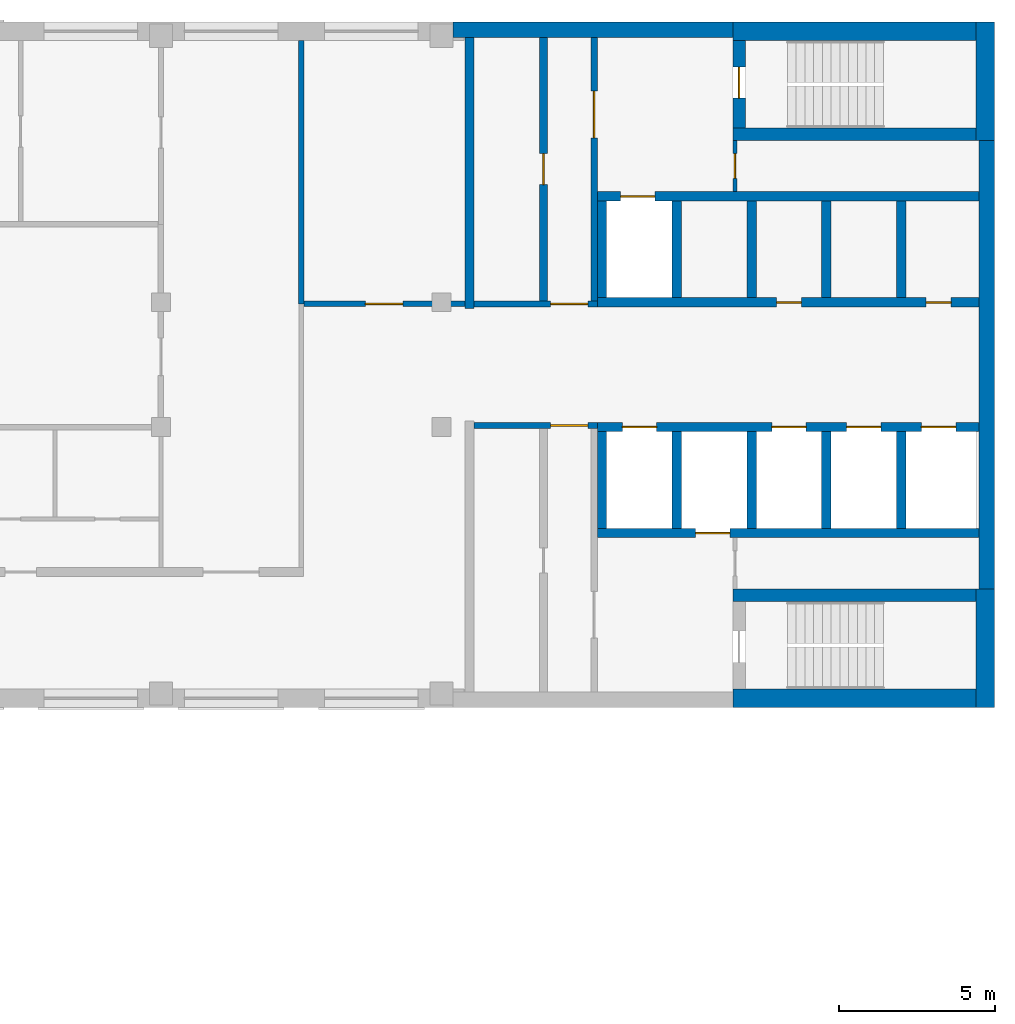
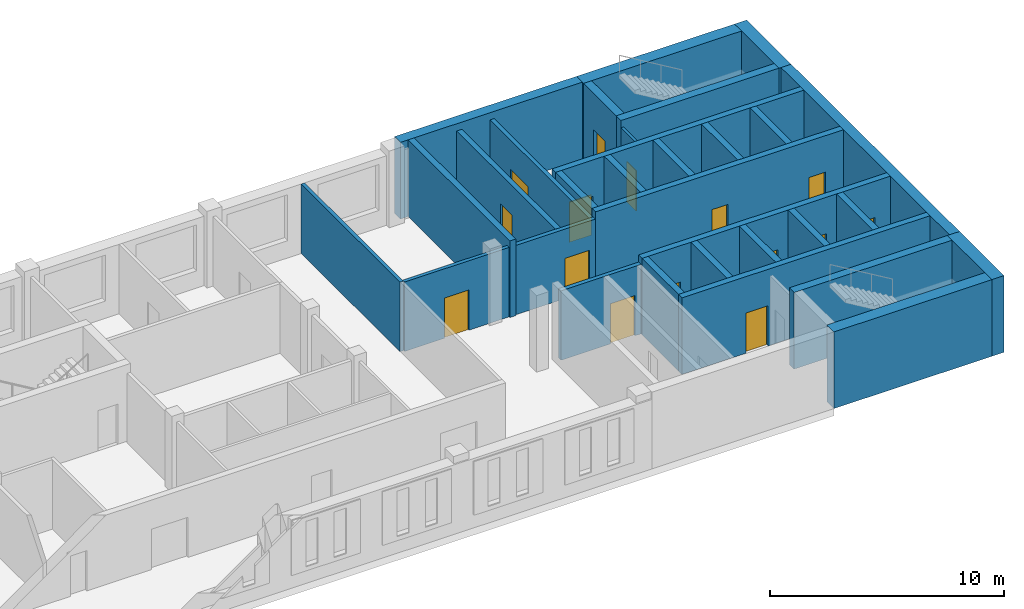
# One storey, part 6 of 8: 31 walls, 15 doors, 15 openings.
"""IFC4 building model written with IfcOpenShell, lengths in metres."""

import ifcopenshell
import ifcopenshell.guid

model = None  # the IFC model being written
_history = None  # IfcOwnerHistory: only IFC2X3 demands one
_inside = {}  # id of a spatial element -> (the spatial element, [elements in it])
_under = {}  # id of a project, library or spatial element -> (it, [spatial elements below it])
_declared = {}  # id of a project -> (the project, [libraries it declares])
_typed = {}  # id of a type object -> (the type object, [elements of that type])
_made_of = {}  # id of a material, layer set ... -> (it, [elements and type objects made of it])


def new_model(schema):
    """Start an empty IFC model of exactly this schema.

    Asked for "IFC4X3", IfcOpenShell would pick the latest addendum, in which some entities
    have other attributes; the version numbers below select the first issue.
    IFC2X3 requires an IfcOwnerHistory on every rooted entity: one is made here for all.
    """
    global model, _history
    if schema == "IFC4X3":
        model = ifcopenshell.file(schema_version=(4, 3, 0, 0))
    else:
        model = ifcopenshell.file(schema=schema)
    _inside.clear()
    _under.clear()
    _declared.clear()
    _typed.clear()
    _made_of.clear()
    _history = None
    if model.schema == "IFC2X3":
        org = make("IfcOrganization", Name="unknown")
        user = make(
            "IfcPersonAndOrganization",
            ThePerson=make("IfcPerson", FamilyName="unknown"),
            TheOrganization=org,
        )
        app = make(
            "IfcApplication",
            ApplicationDeveloper=org,
            Version="unknown",
            ApplicationFullName="unknown",
            ApplicationIdentifier="unknown",
        )
        _history = make(
            "IfcOwnerHistory",
            OwningUser=user,
            OwningApplication=app,
            ChangeAction="ADDED",
            CreationDate=0,
        )
    return model


def make(cls, **values):
    """One entity of the class cls with the attributes given. An attribute that is None is left unset."""
    return model.create_entity(
        cls, **{name: value for name, value in values.items() if value is not None}
    )


def rooted(cls, **values):
    """An entity with a GlobalId (a new one), such as an element, a storey or a relation."""
    return make(cls, GlobalId=ifcopenshell.guid.new(), OwnerHistory=_history, **values)


def si_unit(unit_type, name, prefix=None):
    """IfcSIUnit, for example si_unit("LENGTHUNIT", "METRE", prefix="MILLI")."""
    return make("IfcSIUnit", UnitType=unit_type, Prefix=prefix, Name=name)


def assignment(units):
    """IfcUnitAssignment: the units of a project."""
    return None if units is None else make("IfcUnitAssignment", Units=units)


def point(xyz):
    """IfcCartesianPoint."""
    return None if xyz is None else make("IfcCartesianPoint", Coordinates=xyz)


def direction(xyz):
    """IfcDirection."""
    return None if xyz is None else make("IfcDirection", DirectionRatios=xyz)


def frame(location, z_axis=None, x_axis=None):
    """IfcAxis2Placement3D, a coordinate frame: its origin and axes. An axis left out is left unset."""
    return make(
        "IfcAxis2Placement3D",
        Location=point(location),
        Axis=direction(z_axis),
        RefDirection=direction(x_axis),
    )


def frame_2d(location, x_axis=None):
    """IfcAxis2Placement2D, a coordinate frame in the plane: its origin and x axis."""
    return make(
        "IfcAxis2Placement2D", Location=point(location), RefDirection=direction(x_axis)
    )


def origin():
    """The frame at (0, 0, 0) with its axes left unset."""
    return frame((0.0, 0.0, 0.0))


def place(relative_to, where):
    """IfcLocalPlacement: puts the frame where relative to a parent placement (None: the world)."""
    return make(
        "IfcLocalPlacement", PlacementRelTo=relative_to, RelativePlacement=where
    )


def context(
    kind, dimensions, precision=None, world=None, true_north=None, identifier=None
):
    """IfcGeometricRepresentationContext, for example the 3D "Model" context."""
    return make(
        "IfcGeometricRepresentationContext",
        ContextIdentifier=identifier,
        ContextType=kind,
        CoordinateSpaceDimension=dimensions,
        Precision=precision,
        WorldCoordinateSystem=world,
        TrueNorth=true_north,
    )


def subcontext(parent, identifier, kind, view, scale=None):
    """IfcGeometricRepresentationSubContext, for example "Body" below "Model"."""
    return make(
        "IfcGeometricRepresentationSubContext",
        ContextIdentifier=identifier,
        ContextType=kind,
        ParentContext=parent,
        TargetScale=scale,
        TargetView=view,
    )


def project(units=None, contexts=None):
    """IfcProject with its units and contexts."""
    return rooted(
        "IfcProject",
        Name="project",
        RepresentationContexts=contexts,
        UnitsInContext=assignment(units),
    )


def spatial(cls, under=None, at=None, **own):
    """A site, building, storey or space (cls), placed at a placement, below another one or the project."""
    s = rooted(cls, ObjectPlacement=at, **own)
    if under is not None:
        _under.setdefault(under.id(), (under, []))[1].append(s)
    return s


def profile(cls, at=None, kind="AREA", **sizes):
    """A parametric profile (cls). Its sizes go by their IFC names, for example OverallWidth=200.0."""
    return make(cls, ProfileType=kind, Position=at, **sizes)


def rectangle(**sizes):
    """IfcRectangleProfileDef."""
    return profile("IfcRectangleProfileDef", **sizes)


def extrude(swept, where, along, depth):
    """IfcExtrudedAreaSolid: the profile swept, set in the frame where, extruded along a direction by depth."""
    return make(
        "IfcExtrudedAreaSolid",
        SweptArea=swept,
        Position=where,
        ExtrudedDirection=direction(along),
        Depth=depth,
    )


def shape(context_of_items, identifier, shape_type, items):
    """IfcShapeRepresentation: the items that make up one representation, for example the "Body"."""
    return make(
        "IfcShapeRepresentation",
        ContextOfItems=context_of_items,
        RepresentationIdentifier=identifier,
        RepresentationType=shape_type,
        Items=items,
    )


def material(Name=None, Category=None):
    """IfcMaterial."""
    return make("IfcMaterial", Name=Name, Category=Category)


def layer(
    of_material, thickness, ventilated=None, Name=None, Category=None, Priority=None
):
    """IfcMaterialLayer: one layer of a wall or slab, of a material (None: an air gap)."""
    return make(
        "IfcMaterialLayer",
        Material=of_material,
        LayerThickness=thickness,
        IsVentilated=ventilated,
        Name=Name,
        Category=Category,
        Priority=Priority,
    )


def layer_set(layers, Name=None):
    """IfcMaterialLayerSet."""
    return make("IfcMaterialLayerSet", MaterialLayers=layers, LayerSetName=Name)


def made_of(thing, what):
    """Note that an element or type object is made of a material, layer set ...; save() writes the relation."""
    if what is not None:
        _made_of.setdefault(what.id(), (what, []))[1].append(thing)
    return thing


def type_object(cls, material=None, **own):
    """A type object (cls), such as IfcWallType, which elements share."""
    return made_of(rooted(cls, **own), material)


def element(
    cls,
    number,
    at=None,
    inside=None,
    cuts=None,
    type_object=None,
    material=None,
    context=None,
    identifier="Body",
    shape_type=None,
    held_by="IfcProductDefinitionShape",
    body=None,
    shapes=None,
    **own,
):
    """One element of the class cls, such as IfcWall. Its Tag is "e" and its number.

    at: its placement. inside: the storey or other place that contains it. cuts: it is an
    opening in that element (IfcRelVoidsElement). A single representation is given by context,
    identifier, shape_type and body (its items); several are given by shapes. held_by: the class
    of the entity that holds the representations. save() writes the other relations.
    """
    e = rooted(cls, Tag="e%d" % number, ObjectPlacement=at, **own)
    if body is not None:
        shapes = [shape(context, identifier, shape_type, body)]
    if shapes is not None:
        e.Representation = make(held_by, Representations=shapes)
    if inside is not None:
        _inside.setdefault(inside.id(), (inside, []))[1].append(e)
    if cuts is not None:
        rooted(
            "IfcRelVoidsElement", RelatingBuildingElement=cuts, RelatedOpeningElement=e
        )
    if type_object is not None:
        _typed.setdefault(type_object.id(), (type_object, []))[1].append(e)
    return made_of(e, material)


def fill(opening, filler):
    """IfcRelFillsElement: the door or window that sits in an opening."""
    return rooted(
        "IfcRelFillsElement",
        RelatingOpeningElement=opening,
        RelatedBuildingElement=filler,
    )


def aggregate(whole, parts):
    """IfcRelAggregates: a whole, such as a stair, and the parts it consists of."""
    return rooted("IfcRelAggregates", RelatingObject=whole, RelatedObjects=parts)


def save(model, path):
    """Write the relations noted so far, then the file.

    IfcRelAggregates (storeys below a building ...), IfcRelContainedInSpatialStructure (elements
    in a storey), IfcRelDefinesByType, IfcRelAssociatesMaterial and IfcRelDeclares: one each for
    every whole, place, type object, material and project.
    """
    for whole, parts in _under.values():
        aggregate(whole, parts)
    for where, things in _inside.values():
        rooted(
            "IfcRelContainedInSpatialStructure",
            RelatedElements=things,
            RelatingStructure=where,
        )
    for kind, things in _typed.values():
        rooted("IfcRelDefinesByType", RelatedObjects=things, RelatingType=kind)
    for what, things in _made_of.values():
        rooted("IfcRelAssociatesMaterial", RelatedObjects=things, RelatingMaterial=what)
    for by, libraries in _declared.values():
        rooted("IfcRelDeclares", RelatingContext=by, RelatedDefinitions=libraries)
    model.write(path)


model = new_model("IFC4")

# Units and contexts
model_context = context("Model", 3, precision=1e-05, world=origin(), true_north=direction((0.0, 1.0)))
body_context = subcontext(model_context, "Body", "Model", "MODEL_VIEW")
ifc_project = project(units=[si_unit("LENGTHUNIT", "METRE"), si_unit("AREAUNIT", "SQUARE_METRE"), si_unit("VOLUMEUNIT", "CUBIC_METRE"), si_unit("PLANEANGLEUNIT", "RADIAN"), si_unit("MASSUNIT", "GRAM", prefix="KILO")], contexts=[model_context])

# Site, building, storey
site_placement = place(None, origin())
site = spatial("IfcSite", under=ifc_project, at=site_placement, CompositionType="ELEMENT")
building_placement = place(site_placement, origin())
building = spatial("IfcBuilding", under=site, at=building_placement, Name="Skarvind Civic Tower", CompositionType="ELEMENT")
storey_placement = place(building_placement, frame((0.0, 0.0, 220.0)))
storey = spatial("IfcBuildingStorey", under=building, at=storey_placement, Name="L52", CompositionType="ELEMENT", Elevation=220.0)

# Wall
ifc_material_1 = material(Name="Acoustic gypsum board on steel studs", Category="steel")
ifc_layer_1 = layer(ifc_material_1, 0.175048828125)
ifc_layer_set_1 = layer_set([ifc_layer_1], Name="ACOUSTIC MEETING-ROOM PARTITION 175")
wall_type_1 = type_object("IfcWallType", Name="ACOUSTIC MEETING-ROOM PARTITION 175", PredefinedType="PARTITIONING", material=ifc_layer_set_1)
wall_1_placement = place(storey_placement, frame((85.75, 129.949951171875, 0.0), z_axis=(0.0, 0.0, 1.0), x_axis=(0.0, 1.0, 0.0)))
element("IfcWall", 1, at=wall_1_placement, inside=storey, type_object=wall_type_1, Name="Partition 52.044", PredefinedType="PARTITIONING", context=body_context, shape_type="SweptSolid", body=[
    extrude(rectangle(XDim=8.449951171875, YDim=0.175048828125, at=frame_2d((4.22509765625, 0.0))), origin(), (0.0, 0.0, 1.0), 3.625),
])

# Wall, opening, door
wall_2_placement = place(storey_placement, frame((85.837890625, 129.949951171875, 0.0), z_axis=(0.0, 0.0, 1.0), x_axis=(1.0, 0.0, 0.0)))
wall_2 = element("IfcWall", 2, at=wall_2_placement, inside=storey, type_object=wall_type_1, Name="Partition 52.045", PredefinedType="PARTITIONING", context=body_context, shape_type="SweptSolid", body=[
    extrude(rectangle(XDim=5.162109375, YDim=0.175048828125, at=frame_2d((2.5810546875, 0.0))), origin(), (0.0, 0.0, 1.0), 3.625),
])
opening_1_placement = place(wall_2_placement, frame((1.970947265625, 0.0, 0.0)))
opening_1 = element("IfcOpeningElement", 3, at=opening_1_placement, cuts=wall_2, Name="Opening L52-D001", PredefinedType="OPENING", context=body_context, shape_type="SweptSolid", body=[
    extrude(rectangle(XDim=1.199951171875, YDim=2.10009765625, at=frame_2d((0.60009765625, 1.050048828125))), frame((0.0, 0.097412109375, 0.0), z_axis=(0.0, -1.0, 0.0), x_axis=(1.0, 0.0, 0.0)), (0.0, 0.0, 1.0), 0.195068359375),
])
ifc_material_2 = material(Name="Timber door leaf", Category="wood")
door_type_1 = type_object("IfcDoorType", Name="DOOR 1200X2100 DOUBLE TIMBER", OperationType="NOTDEFINED", PredefinedType="DOOR", material=ifc_material_2)
door_1_placement = place(opening_1_placement, origin())
door_1 = element("IfcDoor", 4, at=door_1_placement, inside=storey, type_object=door_type_1, Name="Door L52-D001", OperationType="DOUBLE_DOOR_SINGLE_SWING", OverallHeight=2.10009765625, OverallWidth=1.199951171875, PredefinedType="DOOR", context=body_context, shape_type="SweptSolid", body=[
    extrude(rectangle(XDim=1.199951171875, YDim=2.10009765625, at=frame_2d((0.60009765625, 1.050048828125))), frame((0.0, 0.02490234375, 0.0), z_axis=(0.0, -1.0, 0.0), x_axis=(1.0, 0.0, 0.0)), (0.0, 0.0, 1.0), 0.050048828125),
])
fill(opening_1, door_1)

ifc_material_3 = material(Name="Fire-rated masonry partition", Category="masonry")
ifc_layer_2 = layer(ifc_material_3, 0.199951171875)
ifc_layer_set_2 = layer_set([ifc_layer_2], Name="Core enclosure wall 200")
wall_type_2 = type_object("IfcWallType", Name="Core enclosure wall 200", PredefinedType="PARTITIONING", material=ifc_layer_set_2)
wall_3_placement = place(storey_placement, frame((95.25, 126.050048828125, 0.0), z_axis=(0.0, 0.0, 1.0), x_axis=(-1.0, 0.0, 0.0)))
wall_3 = element("IfcWall", 5, at=wall_3_placement, inside=storey, type_object=wall_type_2, Name="Core wall C1", PredefinedType="PARTITIONING", context=body_context, shape_type="SweptSolid", body=[
    extrude(rectangle(XDim=3.949951171875, YDim=0.199951171875, at=frame_2d((1.97509765625, 0.0))), origin(), (0.0, 0.0, 1.0), 3.625),
])
opening_2_placement = place(wall_3_placement, frame((0.300048828125, 0.0, 0.0)))
opening_2 = element("IfcOpeningElement", 6, at=opening_2_placement, cuts=wall_3, Name="Opening D-L52-C1-07", PredefinedType="OPENING", context=body_context, shape_type="SweptSolid", body=[
    extrude(rectangle(XDim=1.199951171875, YDim=2.10009765625, at=frame_2d((0.60009765625, 1.050048828125))), frame((0.0, 0.10986328125, 0.0), z_axis=(0.0, -1.0, 0.0), x_axis=(1.0, 0.0, 0.0)), (0.0, 0.0, 1.0), 0.219970703125),
])
ifc_material_4 = material(Name="Fire-rated steel door", Category="steel")
door_type_2 = type_object("IfcDoorType", Name="Core lobby door 1200", OperationType="NOTDEFINED", PredefinedType="DOOR", material=ifc_material_4)
door_2_placement = place(opening_2_placement, origin())
door_2 = element("IfcDoor", 7, at=door_2_placement, inside=storey, type_object=door_type_2, Name="Fire door", OperationType="DOUBLE_DOOR_SINGLE_SWING", OverallHeight=2.10009765625, OverallWidth=1.199951171875, PredefinedType="DOOR", context=body_context, shape_type="SweptSolid", body=[
    extrude(rectangle(XDim=1.199951171875, YDim=2.10009765625, at=frame_2d((0.60009765625, 1.050048828125))), frame((0.0, 0.02490234375, 0.0), z_axis=(0.0, -1.0, 0.0), x_axis=(1.0, 0.0, 0.0)), (0.0, 0.0, 1.0), 0.050048828125),
])
fill(opening_2, door_2)

wall_4_placement = place(storey_placement, frame((91.300048828125, 129.949951171875, 0.0), z_axis=(0.0, 0.0, 1.0), x_axis=(1.0, 0.0, 0.0)))
wall_4 = element("IfcWall", 8, at=wall_4_placement, inside=storey, type_object=wall_type_2, Name="Core wall C1", PredefinedType="PARTITIONING", context=body_context, shape_type="SweptSolid", body=[
    extrude(rectangle(XDim=3.949951171875, YDim=0.199951171875, at=frame_2d((1.97509765625, 0.0))), origin(), (0.0, 0.0, 1.0), 3.625),
])
opening_3_placement = place(wall_4_placement, frame((2.449951171875, 0.0, 0.0)))
opening_3 = element("IfcOpeningElement", 9, at=opening_3_placement, cuts=wall_4, Name="Opening D-L52-C1-12", PredefinedType="OPENING", context=body_context, shape_type="SweptSolid", body=[
    extrude(rectangle(XDim=1.199951171875, YDim=2.10009765625, at=frame_2d((0.60009765625, 1.050048828125))), frame((0.0, 0.10986328125, 0.0), z_axis=(0.0, -1.0, 0.0), x_axis=(1.0, 0.0, 0.0)), (0.0, 0.0, 1.0), 0.219970703125),
])
door_3_placement = place(opening_3_placement, origin())
door_3 = element("IfcDoor", 10, at=door_3_placement, inside=storey, type_object=door_type_2, Name="Fire door", OperationType="DOUBLE_DOOR_SINGLE_SWING", OverallHeight=2.10009765625, OverallWidth=1.199951171875, PredefinedType="DOOR", context=body_context, shape_type="SweptSolid", body=[
    extrude(rectangle(XDim=1.199951171875, YDim=2.10009765625, at=frame_2d((0.60009765625, 1.050048828125))), frame((0.0, 0.02490234375, 0.0), z_axis=(0.0, -1.0, 0.0), x_axis=(1.0, 0.0, 0.0)), (0.0, 0.0, 1.0), 0.050048828125),
])
fill(opening_3, door_3)

wall_5_placement = place(storey_placement, frame((95.14990234375, 130.050048828125, 0.0), z_axis=(0.0, 0.0, 1.0), x_axis=(0.0, 1.0, 0.0)))
wall_5 = element("IfcWall", 11, at=wall_5_placement, inside=storey, type_object=wall_type_2, Name="Core wall C1", PredefinedType="PARTITIONING", context=body_context, shape_type="SweptSolid", body=[
    extrude(rectangle(XDim=8.449951171875, YDim=0.199951171875, at=frame_2d((4.22509765625, 0.0))), origin(), (0.0, 0.0, 1.0), 3.625),
])
opening_4_placement = place(wall_5_placement, frame((5.22509765625, 0.0, 0.0)))
opening_4 = element("IfcOpeningElement", 12, at=opening_4_placement, cuts=wall_5, Name="Opening D-L52-C1-13", PredefinedType="OPENING", context=body_context, shape_type="SweptSolid", body=[
    extrude(rectangle(XDim=1.5, YDim=2.10009765625, at=frame_2d((0.75, 1.050048828125))), frame((0.0, 0.10986328125, 0.0), z_axis=(0.0, -1.0, 0.0), x_axis=(1.0, 0.0, 0.0)), (0.0, 0.0, 1.0), 0.219970703125),
])
door_type_3 = type_object("IfcDoorType", Name="Fire door 1500", OperationType="NOTDEFINED", PredefinedType="DOOR", material=ifc_material_4)
door_4_placement = place(opening_4_placement, origin())
door_4 = element("IfcDoor", 13, at=door_4_placement, inside=storey, type_object=door_type_3, Name="Fire door", OperationType="DOUBLE_DOOR_SINGLE_SWING", OverallHeight=2.10009765625, OverallWidth=1.5, PredefinedType="DOOR", context=body_context, shape_type="SweptSolid", body=[
    extrude(rectangle(XDim=1.5, YDim=2.10009765625, at=frame_2d((0.75, 1.050048828125))), frame((0.0, 0.02490234375, 0.0), z_axis=(0.0, -1.0, 0.0), x_axis=(1.0, 0.0, 0.0)), (0.0, 0.0, 1.0), 0.050048828125),
])
fill(opening_4, door_4)

# Wall, openings, doors
ifc_material_5 = material(Name="Concrete C60", Category="concrete")
ifc_layer_3 = layer(ifc_material_5, 0.300048828125)
ifc_layer_set_3 = layer_set([ifc_layer_3], Name="Core wall 300 C60")
wall_type_3 = type_object("IfcWallType", Name="Core wall 300 C60", PredefinedType="SHEAR", material=ifc_layer_set_3)
wall_6_placement = place(storey_placement, frame((107.5, 130.0, 0.0), z_axis=(0.0, 0.0, 1.0), x_axis=(-1.0, 0.0, 0.0)))
wall_6 = element("IfcWall", 14, at=wall_6_placement, inside=storey, type_object=wall_type_3, Name="Core wall C1 south lift row front L52", PredefinedType="SHEAR", context=body_context, shape_type="SweptSolid", body=[
    extrude(rectangle(XDim=12.25, YDim=0.300048828125, at=frame_2d((6.125, 0.0))), origin(), (0.0, 0.0, 1.0), 4.0),
])
opening_5_placement = place(wall_6_placement, frame((0.89990234375, 0.0, 0.0)))
opening_5 = element("IfcOpeningElement", 15, at=opening_5_placement, cuts=wall_6, Name="Opening D-L52-C1-05", PredefinedType="OPENING", context=body_context, shape_type="SweptSolid", body=[
    extrude(rectangle(XDim=0.800048828125, YDim=2.10009765625, at=frame_2d((0.39990234375, 1.050048828125))), frame((0.0, 0.159912109375, 0.0), z_axis=(0.0, -1.0, 0.0), x_axis=(1.0, 0.0, 0.0)), (0.0, 0.0, 1.0), 0.320068359375),
])
opening_6_placement = place(wall_6_placement, frame((5.699951171875, 0.0, 0.0)))
opening_6 = element("IfcOpeningElement", 16, at=opening_6_placement, cuts=wall_6, Name="Opening D-L52-C1-06", PredefinedType="OPENING", context=body_context, shape_type="SweptSolid", body=[
    extrude(rectangle(XDim=0.800048828125, YDim=2.10009765625, at=frame_2d((0.39990234375, 1.050048828125))), frame((0.0, 0.159912109375, 0.0), z_axis=(0.0, -1.0, 0.0), x_axis=(1.0, 0.0, 0.0)), (0.0, 0.0, 1.0), 0.320068359375),
])
door_type_4 = type_object("IfcDoorType", Name="Core riser door 800", OperationType="NOTDEFINED", PredefinedType="DOOR", material=ifc_material_4)
door_5_placement = place(opening_5_placement, origin())
door_5 = element("IfcDoor", 17, at=door_5_placement, inside=storey, type_object=door_type_4, Name="Riser door", OperationType="SINGLE_SWING_LEFT", OverallHeight=2.10009765625, OverallWidth=0.800048828125, PredefinedType="DOOR", context=body_context, shape_type="SweptSolid", body=[
    extrude(rectangle(XDim=0.800048828125, YDim=2.10009765625, at=frame_2d((0.39990234375, 1.050048828125))), frame((0.0, 0.02490234375, 0.0), z_axis=(0.0, -1.0, 0.0), x_axis=(1.0, 0.0, 0.0)), (0.0, 0.0, 1.0), 0.050048828125),
])
fill(opening_5, door_5)
door_6_placement = place(opening_6_placement, origin())
door_6 = element("IfcDoor", 18, at=door_6_placement, inside=storey, type_object=door_type_4, Name="Riser door", OperationType="SINGLE_SWING_RIGHT", OverallHeight=2.10009765625, OverallWidth=0.800048828125, PredefinedType="DOOR", context=body_context, shape_type="SweptSolid", body=[
    extrude(rectangle(XDim=0.800048828125, YDim=2.10009765625, at=frame_2d((0.39990234375, 1.050048828125))), frame((0.0, 0.02490234375, 0.0), z_axis=(0.0, -1.0, 0.0), x_axis=(1.0, 0.0, 0.0)), (0.0, 0.0, 1.0), 0.050048828125),
])
fill(opening_6, door_6)

# Wall, opening, door
wall_7_placement = place(storey_placement, frame((107.5, 133.39990234375, 0.0), z_axis=(0.0, 0.0, 1.0), x_axis=(-1.0, 0.0, 0.0)))
wall_7 = element("IfcWall", 19, at=wall_7_placement, inside=storey, type_object=wall_type_3, Name="Core wall C1 south lift row back L52", PredefinedType="SHEAR", context=body_context, shape_type="SweptSolid", body=[
    extrude(rectangle(XDim=12.25, YDim=0.300048828125, at=frame_2d((6.125, 0.0))), origin(), (0.0, 0.0, 1.0), 4.0),
])
opening_7_placement = place(wall_7_placement, frame((10.39990234375, 0.0, 0.0)))
opening_7 = element("IfcOpeningElement", 20, at=opening_7_placement, cuts=wall_7, Name="Opening LD54110", PredefinedType="OPENING", context=body_context, shape_type="SweptSolid", body=[
    extrude(rectangle(XDim=1.10009765625, YDim=2.10009765625, at=frame_2d((0.550048828125, 1.050048828125))), frame((0.0, 0.159912109375, 0.0), z_axis=(0.0, -1.0, 0.0), x_axis=(1.0, 0.0, 0.0)), (0.0, 0.0, 1.0), 0.320068359375),
])
ifc_material_6 = material(Name="Stainless steel landing door", Category="steel")
door_type_5 = type_object("IfcDoorType", Name="Lift landing door 1100", OperationType="DOUBLE_DOOR_SLIDING", PredefinedType="DOOR", material=ifc_material_6)
door_7_placement = place(opening_7_placement, origin())
door_7 = element("IfcDoor", 21, at=door_7_placement, inside=storey, type_object=door_type_5, Name="Lift landing door", OperationType="DOUBLE_DOOR_SLIDING", OverallHeight=2.10009765625, OverallWidth=1.10009765625, PredefinedType="DOOR", context=body_context, shape_type="SweptSolid", body=[
    extrude(rectangle(XDim=1.10009765625, YDim=2.10009765625, at=frame_2d((0.550048828125, 1.050048828125))), frame((0.0, 0.02490234375, 0.0), z_axis=(0.0, -1.0, 0.0), x_axis=(1.0, 0.0, 0.0)), (0.0, 0.0, 1.0), 0.050048828125),
])
fill(opening_7, door_7)

# Walls
for number, where, z_axis, x_axis, name in (
    (22, (105.0, 133.25, 0.0), (0.0, 0.0, 1.0), (0.0, -1.0, 0.0), "Core wall C1 south lift row division 1 L52"),
    (23, (102.60009765625, 133.25, 0.0), (0.0, 0.0, 1.0), (0.0, -1.0, 0.0), "Core wall C1 south lift row division 2 L52"),
    (24, (100.199951171875, 133.25, 0.0), (0.0, 0.0, 1.0), (0.0, -1.0, 0.0), "Core wall C1 south lift row division 3 L52"),
    (25, (97.800048828125, 133.25, 0.0), (0.0, 0.0, 1.0), (0.0, -1.0, 0.0), "Core wall C1 south lift row division 4 L52"),
    (26, (95.39990234375, 133.25, 0.0), (0.0, 0.0, 1.0), (0.0, -1.0, 0.0), "Core wall C1 south lift row division 5 L52"),
):
    element("IfcWall", number, at=place(storey_placement, frame(where, z_axis=z_axis, x_axis=x_axis)), inside=storey, type_object=wall_type_3, Name=name, PredefinedType="SHEAR", context=body_context, shape_type="SweptSolid", body=[
        extrude(rectangle(XDim=3.10009765625, YDim=0.300048828125, at=frame_2d((1.550048828125, 0.0))), origin(), (0.0, 0.0, 1.0), 4.0),
    ])

# Wall, openings, doors
wall_8_placement = place(storey_placement, frame((107.5, 126.0, 0.0), z_axis=(0.0, 0.0, 1.0), x_axis=(-1.0, 0.0, 0.0)))
wall_8 = element("IfcWall", 27, at=wall_8_placement, inside=storey, type_object=wall_type_3, Name="Core wall C1 north lift row front L52", PredefinedType="SHEAR", context=body_context, shape_type="SweptSolid", body=[
    extrude(rectangle(XDim=12.25, YDim=0.300048828125, at=frame_2d((6.125, 0.0))), origin(), (0.0, 0.0, 1.0), 4.0),
])
opening_8_placement = place(wall_8_placement, frame((0.75, 0.0, 0.0)))
opening_8 = element("IfcOpeningElement", 28, at=opening_8_placement, cuts=wall_8, Name="Opening LD54101", PredefinedType="OPENING", context=body_context, shape_type="SweptSolid", body=[
    extrude(rectangle(XDim=1.10009765625, YDim=2.10009765625, at=frame_2d((0.550048828125, 1.050048828125))), frame((0.0, 0.159912109375, 0.0), z_axis=(0.0, -1.0, 0.0), x_axis=(1.0, 0.0, 0.0)), (0.0, 0.0, 1.0), 0.320068359375),
])
opening_9_placement = place(wall_8_placement, frame((3.14990234375, 0.0, 0.0)))
opening_9 = element("IfcOpeningElement", 29, at=opening_9_placement, cuts=wall_8, Name="Opening LD54102", PredefinedType="OPENING", context=body_context, shape_type="SweptSolid", body=[
    extrude(rectangle(XDim=1.10009765625, YDim=2.10009765625, at=frame_2d((0.550048828125, 1.050048828125))), frame((0.0, 0.159912109375, 0.0), z_axis=(0.0, -1.0, 0.0), x_axis=(1.0, 0.0, 0.0)), (0.0, 0.0, 1.0), 0.320068359375),
])
opening_10_placement = place(wall_8_placement, frame((5.550048828125, 0.0, 0.0)))
opening_10 = element("IfcOpeningElement", 30, at=opening_10_placement, cuts=wall_8, Name="Opening LD54103", PredefinedType="OPENING", context=body_context, shape_type="SweptSolid", body=[
    extrude(rectangle(XDim=1.10009765625, YDim=2.10009765625, at=frame_2d((0.550048828125, 1.050048828125))), frame((0.0, 0.159912109375, 0.0), z_axis=(0.0, -1.0, 0.0), x_axis=(1.0, 0.0, 0.0)), (0.0, 0.0, 1.0), 0.320068359375),
])
opening_11_placement = place(wall_8_placement, frame((10.35009765625, 0.0, 0.0)))
opening_11 = element("IfcOpeningElement", 31, at=opening_11_placement, cuts=wall_8, Name="Opening LD54105", PredefinedType="OPENING", context=body_context, shape_type="SweptSolid", body=[
    extrude(rectangle(XDim=1.10009765625, YDim=2.10009765625, at=frame_2d((0.550048828125, 1.050048828125))), frame((0.0, 0.159912109375, 0.0), z_axis=(0.0, -1.0, 0.0), x_axis=(1.0, 0.0, 0.0)), (0.0, 0.0, 1.0), 0.320068359375),
])
door_8_placement = place(opening_8_placement, origin())
door_8 = element("IfcDoor", 32, at=door_8_placement, inside=storey, type_object=door_type_5, Name="Lift landing door", OperationType="DOUBLE_DOOR_SLIDING", OverallHeight=2.10009765625, OverallWidth=1.10009765625, PredefinedType="DOOR", context=body_context, shape_type="SweptSolid", body=[
    extrude(rectangle(XDim=1.10009765625, YDim=2.10009765625, at=frame_2d((0.550048828125, 1.050048828125))), frame((0.0, 0.02490234375, 0.0), z_axis=(0.0, -1.0, 0.0), x_axis=(1.0, 0.0, 0.0)), (0.0, 0.0, 1.0), 0.050048828125),
])
fill(opening_8, door_8)
door_9_placement = place(opening_9_placement, origin())
door_9 = element("IfcDoor", 33, at=door_9_placement, inside=storey, type_object=door_type_5, Name="Lift landing door", OperationType="DOUBLE_DOOR_SLIDING", OverallHeight=2.10009765625, OverallWidth=1.10009765625, PredefinedType="DOOR", context=body_context, shape_type="SweptSolid", body=[
    extrude(rectangle(XDim=1.10009765625, YDim=2.10009765625, at=frame_2d((0.550048828125, 1.050048828125))), frame((0.0, 0.02490234375, 0.0), z_axis=(0.0, -1.0, 0.0), x_axis=(1.0, 0.0, 0.0)), (0.0, 0.0, 1.0), 0.050048828125),
])
fill(opening_9, door_9)
door_10_placement = place(opening_10_placement, origin())
door_10 = element("IfcDoor", 34, at=door_10_placement, inside=storey, type_object=door_type_5, Name="Lift landing door", OperationType="DOUBLE_DOOR_SLIDING", OverallHeight=2.10009765625, OverallWidth=1.10009765625, PredefinedType="DOOR", context=body_context, shape_type="SweptSolid", body=[
    extrude(rectangle(XDim=1.10009765625, YDim=2.10009765625, at=frame_2d((0.550048828125, 1.050048828125))), frame((0.0, 0.02490234375, 0.0), z_axis=(0.0, -1.0, 0.0), x_axis=(1.0, 0.0, 0.0)), (0.0, 0.0, 1.0), 0.050048828125),
])
fill(opening_10, door_10)
door_11_placement = place(opening_11_placement, origin())
door_11 = element("IfcDoor", 35, at=door_11_placement, inside=storey, type_object=door_type_5, Name="Lift landing door", OperationType="DOUBLE_DOOR_SLIDING", OverallHeight=2.10009765625, OverallWidth=1.10009765625, PredefinedType="DOOR", context=body_context, shape_type="SweptSolid", body=[
    extrude(rectangle(XDim=1.10009765625, YDim=2.10009765625, at=frame_2d((0.550048828125, 1.050048828125))), frame((0.0, 0.02490234375, 0.0), z_axis=(0.0, -1.0, 0.0), x_axis=(1.0, 0.0, 0.0)), (0.0, 0.0, 1.0), 0.050048828125),
])
fill(opening_11, door_11)

# Wall, opening, door
wall_9_placement = place(storey_placement, frame((107.5, 122.60009765625, 0.0), z_axis=(0.0, 0.0, 1.0), x_axis=(-1.0, 0.0, 0.0)))
wall_9 = element("IfcWall", 36, at=wall_9_placement, inside=storey, type_object=wall_type_3, Name="Core wall C1 north lift row back L52", PredefinedType="SHEAR", context=body_context, shape_type="SweptSolid", body=[
    extrude(rectangle(XDim=12.25, YDim=0.300048828125, at=frame_2d((6.125, 0.0))), origin(), (0.0, 0.0, 1.0), 4.0),
])
opening_12_placement = place(wall_9_placement, frame((8.0, 0.0, 0.0)))
opening_12 = element("IfcOpeningElement", 37, at=opening_12_placement, cuts=wall_9, Name="Opening LD54104", PredefinedType="OPENING", context=body_context, shape_type="SweptSolid", body=[
    extrude(rectangle(XDim=1.10009765625, YDim=2.10009765625, at=frame_2d((0.550048828125, 1.050048828125))), frame((0.0, 0.159912109375, 0.0), z_axis=(0.0, -1.0, 0.0), x_axis=(1.0, 0.0, 0.0)), (0.0, 0.0, 1.0), 0.320068359375),
])
door_12_placement = place(opening_12_placement, origin())
door_12 = element("IfcDoor", 38, at=door_12_placement, inside=storey, type_object=door_type_5, Name="Lift landing door", OperationType="DOUBLE_DOOR_SLIDING", OverallHeight=2.10009765625, OverallWidth=1.10009765625, PredefinedType="DOOR", context=body_context, shape_type="SweptSolid", body=[
    extrude(rectangle(XDim=1.10009765625, YDim=2.10009765625, at=frame_2d((0.550048828125, 1.050048828125))), frame((0.0, 0.02490234375, 0.0), z_axis=(0.0, -1.0, 0.0), x_axis=(1.0, 0.0, 0.0)), (0.0, 0.0, 1.0), 0.050048828125),
])
fill(opening_12, door_12)

# Walls
for number, where, z_axis, x_axis, name in (
    (39, (105.0, 125.85009765625, 0.0), (0.0, 0.0, 1.0), (0.0, -1.0, 0.0), "Core wall C1 north lift row division 1 L52"),
    (40, (102.60009765625, 125.85009765625, 0.0), (0.0, 0.0, 1.0), (0.0, -1.0, 0.0), "Core wall C1 north lift row division 2 L52"),
    (41, (100.199951171875, 125.85009765625, 0.0), (0.0, 0.0, 1.0), (0.0, -1.0, 0.0), "Core wall C1 north lift row division 3 L52"),
    (42, (97.800048828125, 125.85009765625, 0.0), (0.0, 0.0, 1.0), (0.0, -1.0, 0.0), "Core wall C1 north lift row division 4 L52"),
    (43, (95.39990234375, 125.85009765625, 0.0), (0.0, 0.0, 1.0), (0.0, -1.0, 0.0), "Core wall C1 north lift row division 5 L52"),
):
    element("IfcWall", number, at=place(storey_placement, frame(where, z_axis=z_axis, x_axis=x_axis)), inside=storey, type_object=wall_type_3, Name=name, PredefinedType="SHEAR", context=body_context, shape_type="SweptSolid", body=[
        extrude(rectangle(XDim=3.10009765625, YDim=0.300048828125, at=frame_2d((1.550048828125, 0.0))), origin(), (0.0, 0.0, 1.0), 4.0),
    ])
wall_10_placement = place(storey_placement, frame((91.14990234375, 138.5, 0.0), z_axis=(0.0, 0.0, 1.0), x_axis=(0.0, -1.0, 0.0)))
element("IfcWall", 44, at=wall_10_placement, inside=storey, type_object=wall_type_3, Name="Core wall C1 south inner face L52", PredefinedType="SHEAR", context=body_context, shape_type="SweptSolid", body=[
    extrude(rectangle(XDim=8.699951171875, YDim=0.300048828125, at=frame_2d((4.35009765625, 0.0))), origin(), (0.0, 0.0, 1.0), 4.0),
])
ifc_layer_4 = layer(ifc_material_5, 0.39990234375)
ifc_layer_set_4 = layer_set([ifc_layer_4], Name="Core wall 400 C60")
wall_type_4 = type_object("IfcWallType", Name="Core wall 400 C60", PredefinedType="SHEAR", material=ifc_layer_set_4)
wall_11_placement = place(storey_placement, frame((107.39990234375, 135.39990234375, 0.0), z_axis=(0.0, 0.0, 1.0), x_axis=(-1.0, 0.0, 0.0)))
element("IfcWall", 45, at=wall_11_placement, inside=storey, type_object=wall_type_4, Name="Core wall C1 south stair inner L52", PredefinedType="SHEAR", context=body_context, shape_type="SweptSolid", body=[
    extrude(rectangle(XDim=7.7998046875, YDim=0.39990234375, at=frame_2d((3.89990234375, 0.0))), origin(), (0.0, 0.0, 1.0), 4.0),
])

# Wall, opening, door
wall_12_placement = place(storey_placement, frame((99.800048828125, 138.39990234375, 0.0), z_axis=(0.0, 0.0, 1.0), x_axis=(0.0, -1.0, 0.0)))
wall_12 = element("IfcWall", 46, at=wall_12_placement, inside=storey, type_object=wall_type_4, Name="Core wall C1 south stair end L52", PredefinedType="SHEAR", context=body_context, shape_type="SweptSolid", body=[
    extrude(rectangle(XDim=2.7998046875, YDim=0.39990234375, at=frame_2d((1.39990234375, 0.0))), origin(), (0.0, 0.0, 1.0), 4.0),
])
opening_13_placement = place(wall_12_placement, frame((0.85009765625, 0.0, 0.0)))
opening_13 = element("IfcOpeningElement", 47, at=opening_13_placement, cuts=wall_12, Name="Opening D-L52-C1-14", PredefinedType="OPENING", context=body_context, shape_type="SweptSolid", body=[
    extrude(rectangle(XDim=1.0, YDim=2.10009765625, at=frame_2d((0.5, 1.050048828125))), frame((0.0, 0.2099609375, 0.0), z_axis=(0.0, -1.0, 0.0), x_axis=(1.0, 0.0, 0.0)), (0.0, 0.0, 1.0), 0.419921875),
])
door_type_6 = type_object("IfcDoorType", Name="Fire door 1000", OperationType="NOTDEFINED", PredefinedType="DOOR", material=ifc_material_4)
door_13_placement = place(opening_13_placement, origin())
door_13 = element("IfcDoor", 48, at=door_13_placement, inside=storey, type_object=door_type_6, Name="Fire door", OperationType="SINGLE_SWING_RIGHT", OverallHeight=2.10009765625, OverallWidth=1.0, PredefinedType="DOOR", context=body_context, shape_type="SweptSolid", body=[
    extrude(rectangle(XDim=1.0, YDim=2.10009765625, at=frame_2d((0.5, 1.050048828125))), frame((0.0, 0.02490234375, 0.0), z_axis=(0.0, -1.0, 0.0), x_axis=(1.0, 0.0, 0.0)), (0.0, 0.0, 1.0), 0.050048828125),
])
fill(opening_13, door_13)

# Walls
wall_13_placement = place(storey_placement, frame((107.39990234375, 120.60009765625, 0.0), z_axis=(0.0, 0.0, 1.0), x_axis=(-1.0, 0.0, 0.0)))
element("IfcWall", 49, at=wall_13_placement, inside=storey, type_object=wall_type_4, Name="Core wall C1 north stair inner L52", PredefinedType="SHEAR", context=body_context, shape_type="SweptSolid", body=[
    extrude(rectangle(XDim=7.7998046875, YDim=0.39990234375, at=frame_2d((3.89990234375, 0.0))), origin(), (0.0, 0.0, 1.0), 4.0),
])
ifc_layer_5 = layer(ifc_material_5, 0.5)
ifc_layer_set_5 = layer_set([ifc_layer_5], Name="Core wall 500 C60")
wall_type_5 = type_object("IfcWallType", Name="Core wall 500 C60", PredefinedType="SHEAR", material=ifc_layer_set_5)
wall_14_placement = place(storey_placement, frame((107.75, 135.199951171875, 0.0), z_axis=(0.0, 0.0, 1.0), x_axis=(0.0, -1.0, 0.0)))
element("IfcWall", 50, at=wall_14_placement, inside=storey, type_object=wall_type_5, Name="Core wall C1 tip between the stairs L52", PredefinedType="SHEAR", context=body_context, shape_type="SweptSolid", body=[
    extrude(rectangle(XDim=14.39990234375, YDim=0.5, at=frame_2d((7.199951171875, 0.0))), origin(), (0.0, 0.0, 1.0), 4.0),
])
wall_15_placement = place(storey_placement, frame((99.60009765625, 138.75, 0.0), z_axis=(0.0, 0.0, 1.0), x_axis=(-1.0, 0.0, 0.0)))
element("IfcWall", 51, at=wall_15_placement, inside=storey, type_object=wall_type_5, Name="Core wall C1 south side L52", PredefinedType="SHEAR", context=body_context, shape_type="SweptSolid", body=[
    extrude(rectangle(XDim=8.97509765625, YDim=0.5, at=frame_2d((4.487548828125, 0.0))), origin(), (0.0, 0.0, 1.0), 4.0),
])
ifc_layer_6 = layer(ifc_material_5, 0.60009765625)
ifc_layer_set_6 = layer_set([ifc_layer_6], Name="Core wall 600 C60")
wall_type_6 = type_object("IfcWallType", Name="Core wall 600 C60", PredefinedType="SHEAR", material=ifc_layer_set_6)
for number, where, z_axis, x_axis, name in (
    (52, (107.699951171875, 139.0, 0.0), (0.0, 0.0, 1.0), (0.0, -1.0, 0.0), "Core wall C1 tip at the south stair L52"),
    (53, (107.699951171875, 120.800048828125, 0.0), (0.0, 0.0, 1.0), (0.0, -1.0, 0.0), "Core wall C1 tip at the north stair L52"),
):
    element("IfcWall", number, at=place(storey_placement, frame(where, z_axis=z_axis, x_axis=x_axis)), inside=storey, type_object=wall_type_6, Name=name, PredefinedType="SHEAR", context=body_context, shape_type="SweptSolid", body=[
        extrude(rectangle(XDim=3.800048828125, YDim=0.60009765625, at=frame_2d((1.89990234375, 0.0))), origin(), (0.0, 0.0, 1.0), 4.0),
    ])
for number, where, z_axis, x_axis, name in (
    (54, (107.39990234375, 138.699951171875, 0.0), (0.0, 0.0, 1.0), (-1.0, 0.0, 0.0), "Core wall C1 south side at the stair L52"),
    (55, (107.39990234375, 117.300048828125, 0.0), (0.0, 0.0, 1.0), (-1.0, 0.0, 0.0), "Core wall C1 north side at the stair L52"),
):
    element("IfcWall", number, at=place(storey_placement, frame(where, z_axis=z_axis, x_axis=x_axis)), inside=storey, type_object=wall_type_6, Name=name, PredefinedType="SHEAR", context=body_context, shape_type="SweptSolid", body=[
        extrude(rectangle(XDim=7.7998046875, YDim=0.60009765625, at=frame_2d((3.89990234375, 0.0))), origin(), (0.0, 0.0, 1.0), 4.0),
    ])

# Wall, opening, door
ifc_layer_7 = layer(ifc_material_3, 0.125)
ifc_layer_set_7 = layer_set([ifc_layer_7], Name="Riser wall 125")
wall_type_7 = type_object("IfcWallType", Name="Riser wall 125", PredefinedType="PARTITIONING", material=ifc_layer_set_7)
wall_16_placement = place(storey_placement, frame((99.66259765625, 133.550048828125, 0.0), z_axis=(0.0, 0.0, 1.0), x_axis=(0.0, 1.0, 0.0)))
wall_16 = element("IfcWall", 56, at=wall_16_placement, inside=storey, type_object=wall_type_7, Name="Core wall C1", PredefinedType="PARTITIONING", context=body_context, shape_type="SweptSolid", body=[
    extrude(rectangle(XDim=1.64990234375, YDim=0.125, at=frame_2d((0.824951171875, 0.0))), origin(), (0.0, 0.0, 1.0), 3.625),
])
opening_14_placement = place(wall_16_placement, frame((0.425048828125, 0.0, 0.0)))
opening_14 = element("IfcOpeningElement", 57, at=opening_14_placement, cuts=wall_16, Name="Opening D-L52-C1-15", PredefinedType="OPENING", context=body_context, shape_type="SweptSolid", body=[
    extrude(rectangle(XDim=0.800048828125, YDim=2.10009765625, at=frame_2d((0.39990234375, 1.050048828125))), frame((0.0, 0.072509765625, 0.0), z_axis=(0.0, -1.0, 0.0), x_axis=(1.0, 0.0, 0.0)), (0.0, 0.0, 1.0), 0.14501953125),
])
door_14_placement = place(opening_14_placement, origin())
door_14 = element("IfcDoor", 58, at=door_14_placement, inside=storey, type_object=door_type_4, Name="Riser door", OperationType="SINGLE_SWING_LEFT", OverallHeight=2.10009765625, OverallWidth=0.800048828125, PredefinedType="DOOR", context=body_context, shape_type="SweptSolid", body=[
    extrude(rectangle(XDim=0.800048828125, YDim=2.10009765625, at=frame_2d((0.39990234375, 1.050048828125))), frame((0.0, 0.02490234375, 0.0), z_axis=(0.0, -1.0, 0.0), x_axis=(1.0, 0.0, 0.0)), (0.0, 0.0, 1.0), 0.050048828125),
])
fill(opening_14, door_14)

ifc_layer_8 = layer(ifc_material_3, 0.25)
ifc_layer_set_8 = layer_set([ifc_layer_8], Name="Service block wall 250")
wall_type_8 = type_object("IfcWallType", Name="Service block wall 250", PredefinedType="PARTITIONING", material=ifc_layer_set_8)
wall_17_placement = place(storey_placement, frame((93.52490234375, 130.050048828125, 0.0), z_axis=(0.0, 0.0, 1.0), x_axis=(0.0, 1.0, 0.0)))
wall_17 = element("IfcWall", 59, at=wall_17_placement, inside=storey, type_object=wall_type_8, Name="Core wall C1", PredefinedType="PARTITIONING", context=body_context, shape_type="SweptSolid", body=[
    extrude(rectangle(XDim=8.449951171875, YDim=0.25, at=frame_2d((4.22509765625, 0.0))), origin(), (0.0, 0.0, 1.0), 3.625),
])
opening_15_placement = place(wall_17_placement, frame((3.72509765625, 0.0, 0.0)))
opening_15 = element("IfcOpeningElement", 60, at=opening_15_placement, cuts=wall_17, Name="Opening D-L52-C1-16", PredefinedType="OPENING", context=body_context, shape_type="SweptSolid", body=[
    extrude(rectangle(XDim=1.0, YDim=2.10009765625, at=frame_2d((0.5, 1.050048828125))), frame((0.0, 0.135009765625, 0.0), z_axis=(0.0, -1.0, 0.0), x_axis=(1.0, 0.0, 0.0)), (0.0, 0.0, 1.0), 0.27001953125),
])
door_15_placement = place(opening_15_placement, origin())
door_15 = element("IfcDoor", 61, at=door_15_placement, inside=storey, type_object=door_type_6, Name="Fire door", OperationType="SINGLE_SWING_RIGHT", OverallHeight=2.10009765625, OverallWidth=1.0, PredefinedType="DOOR", context=body_context, shape_type="SweptSolid", body=[
    extrude(rectangle(XDim=1.0, YDim=2.10009765625, at=frame_2d((0.5, 1.050048828125))), frame((0.0, 0.02490234375, 0.0), z_axis=(0.0, -1.0, 0.0), x_axis=(1.0, 0.0, 0.0)), (0.0, 0.0, 1.0), 0.050048828125),
])
fill(opening_15, door_15)

save(model, "model.ifc")
